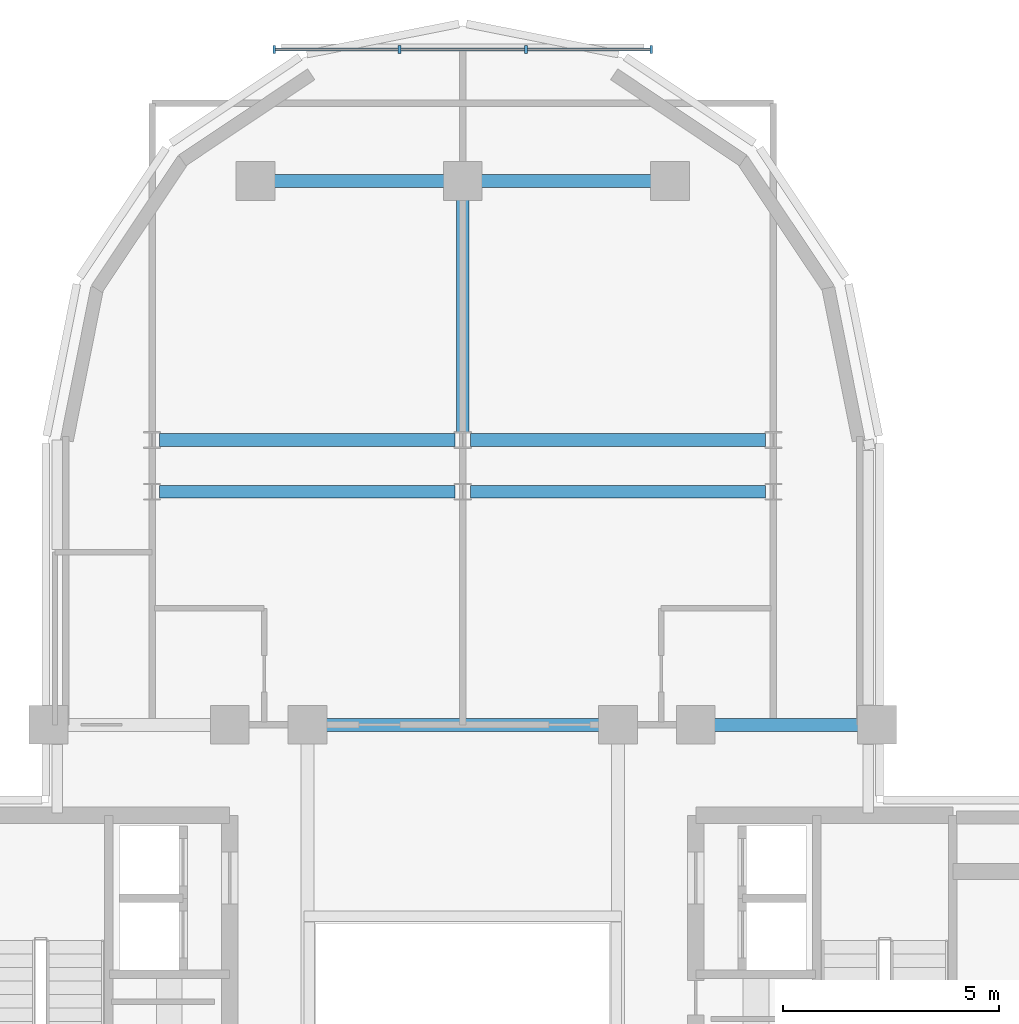
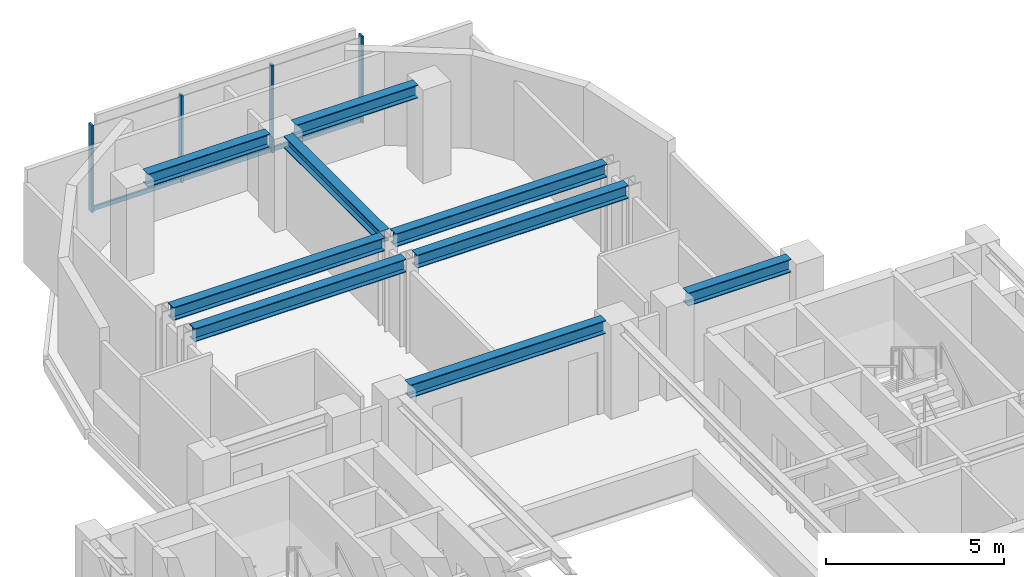
# One storey, part 4 of 12: 9 beams, 7 members, 1 element without a shape of its own.
"""IFC4 building model written with IfcOpenShell, lengths in metres."""

from ifc_helpers import new_model, si_unit, direction, frame, origin, origin_2d, place, context, subcontext, project, spatial, rectangle, i_section, extrude, source, transform, mapped, material, material_profile, profile_set, type_object, element, aggregate, save


model = new_model("IFC4")

# Units and contexts
model_context = context("Model", 3, precision=1e-05, world=origin(), true_north=direction((0.0, 1.0)))
body_context = subcontext(model_context, "Body", "Model", "MODEL_VIEW")
ifc_project = project(units=[si_unit("LENGTHUNIT", "METRE"), si_unit("AREAUNIT", "SQUARE_METRE"), si_unit("VOLUMEUNIT", "CUBIC_METRE"), si_unit("PLANEANGLEUNIT", "RADIAN"), si_unit("MASSUNIT", "GRAM", prefix="KILO")], contexts=[model_context])

# Site, building, storey
site_placement = place(None, origin())
site = spatial("IfcSite", under=ifc_project, at=site_placement, CompositionType="ELEMENT")
building_placement = place(site_placement, origin())
building = spatial("IfcBuilding", under=site, at=building_placement, Name="Keilestroom Media Tower", CompositionType="ELEMENT")
storey_placement = place(building_placement, frame((0.0, 0.0, 191.0)))
storey = spatial("IfcBuildingStorey", under=building, at=storey_placement, Name="L52", CompositionType="ELEMENT", Elevation=191.0)

# Beams
ifc_material_1 = material(Name="Steel S355", Category="steel")
ifc_material_profile_1 = material_profile(ifc_material_1, i_section(OverallWidth=0.300048828125, OverallDepth=0.449951171875, WebThickness=0.011962890625, FlangeThickness=0.02587890625, at=origin_2d()), Name="HEB 450")
ifc_profile_set_1 = profile_set([ifc_material_profile_1], Name="Steel S355")
beam_type_1 = type_object("IfcBeamType", Name="Primary-Structural-Girder-HEB-450", PredefinedType="BEAM", material=ifc_profile_set_1)
shared_shape_1 = source(origin(), body_context, "Body", "SweptSolid", [
    extrude(i_section(OverallWidth=0.300048828125, OverallDepth=0.449951171875, WebThickness=0.011962890625, FlangeThickness=0.02587890625, at=origin_2d()), origin(), (0.0, 0.0, 1.0), 3.940185546875),
])
for number, where, z_axis, x_axis, name in (
    (1, (-4.3701171875, 21.60009765625, 2.97509765625), (1.0, 0.0, 0.0), (0.0, 1.0, 0.0), "L52 Beam BG-7 BM-L52-EW-029"),
    (2, (0.429931640625, 21.60009765625, 2.97509765625), (1.0, 0.0, 0.0), (0.0, 1.0, 0.0), "L52 Beam BG-7 BM-L52-EW-030"),
):
    element("IfcBeam", number, at=place(storey_placement, frame(where, z_axis=z_axis, x_axis=x_axis)), inside=storey, type_object=beam_type_1, Name=name, PredefinedType="BEAM", context=body_context, shape_type="MappedRepresentation", body=[
        mapped(shared_shape_1, transform((0.0, 0.0, 0.0), x_axis=(1.0, 0.0, 0.0), y_axis=(0.0, 1.0, 0.0), z_axis=(0.0, 0.0, 1.0), scale=1.0)),
    ])
shared_shape_2 = source(origin(), body_context, "Body", "SweptSolid", [
    extrude(i_section(OverallWidth=0.300048828125, OverallDepth=0.449951171875, WebThickness=0.011962890625, FlangeThickness=0.02587890625, at=origin_2d()), origin(), (0.0, 0.0, 1.0), 6.842041015625),
])
for number, where, z_axis, x_axis, name in (
    (3, (-7.02099609375, 14.39990234375, 2.97509765625), (1.0, 0.0, 0.0), (0.0, 1.0, 0.0), "L52 Beam BG-7 BM-L52-EW-025"),
    (4, (0.178955078125, 14.39990234375, 2.97509765625), (1.0, 0.0, 0.0), (0.0, 1.0, 0.0), "L52 Beam BG-7 BM-L52-EW-026"),
    (5, (-7.02099609375, 15.60009765625, 2.97509765625), (1.0, 0.0, 0.0), (0.0, 1.0, 0.0), "L52 Beam BG-7 BM-L52-EW-027"),
    (6, (0.178955078125, 15.60009765625, 2.97509765625), (1.0, 0.0, 0.0), (0.0, 1.0, 0.0), "L52 Beam BG-7 BM-L52-EW-028"),
):
    element("IfcBeam", number, at=place(storey_placement, frame(where, z_axis=z_axis, x_axis=x_axis)), inside=storey, type_object=beam_type_1, Name=name, PredefinedType="BEAM", context=body_context, shape_type="MappedRepresentation", body=[
        mapped(shared_shape_2, transform((0.0, 0.0, 0.0), x_axis=(1.0, 0.0, 0.0), y_axis=(0.0, 1.0, 0.0), z_axis=(0.0, 0.0, 1.0), scale=1.0)),
    ])
shared_shape_3 = source(origin(), body_context, "Body", "SweptSolid", [
    extrude(i_section(OverallWidth=0.300048828125, OverallDepth=0.449951171875, WebThickness=0.011962890625, FlangeThickness=0.02587890625, at=origin_2d()), origin(), (0.0, 0.0, 1.0), 3.33984375),
])
beam_1_placement = place(storey_placement, frame((5.830078125, 9.0, 2.97509765625), z_axis=(1.0, 0.0, 0.0), x_axis=(0.0, 1.0, 0.0)))
element("IfcBeam", 7, at=beam_1_placement, inside=storey, type_object=beam_type_1, Name="L52 Beam BG-7 BM-L52-EW-024", PredefinedType="BEAM", context=body_context, shape_type="MappedRepresentation", body=[
    mapped(shared_shape_3, transform((0.0, 0.0, 0.0), x_axis=(1.0, 0.0, 0.0), y_axis=(0.0, 1.0, 0.0), z_axis=(0.0, 0.0, 1.0), scale=1.0)),
])
shared_shape_4 = source(origin(), body_context, "Body", "SweptSolid", [
    extrude(i_section(OverallWidth=0.300048828125, OverallDepth=0.449951171875, WebThickness=0.011962890625, FlangeThickness=0.02587890625, at=origin_2d()), origin(), (0.0, 0.0, 1.0), 6.33984375),
])
beam_2_placement = place(storey_placement, frame((-3.169921875, 9.0, 2.97509765625), z_axis=(1.0, 0.0, 0.0), x_axis=(0.0, 1.0, 0.0)))
element("IfcBeam", 8, at=beam_2_placement, inside=storey, type_object=beam_type_1, Name="L52 Beam BG-7 BM-L52-EW-022", PredefinedType="BEAM", context=body_context, shape_type="MappedRepresentation", body=[
    mapped(shared_shape_4, transform((0.0, 0.0, 0.0), x_axis=(1.0, 0.0, 0.0), y_axis=(0.0, 1.0, 0.0), z_axis=(0.0, 0.0, 1.0), scale=1.0)),
])
ifc_material_profile_2 = material_profile(ifc_material_1, i_section(OverallWidth=0.300048828125, OverallDepth=0.39990234375, WebThickness=0.011474609375, FlangeThickness=0.02392578125, at=origin_2d()), Name="HEB 400")
ifc_profile_set_2 = profile_set([ifc_material_profile_2], Name="Steel S355")
beam_type_2 = type_object("IfcBeamType", Name="Primary-Structural-Girder-HEB-400", PredefinedType="BEAM", material=ifc_profile_set_2)
shared_shape_5 = source(origin(), body_context, "Body", "SweptSolid", [
    extrude(i_section(OverallWidth=0.300048828125, OverallDepth=0.39990234375, WebThickness=0.011474609375, FlangeThickness=0.02392578125, at=origin_2d()), origin(), (0.0, 0.0, 1.0), 5.396484375),
])
beam_3_placement = place(storey_placement, frame((0.0, 15.7734375, 3.0), z_axis=(0.0, 1.0, 0.0), x_axis=(-1.0, 0.0, 0.0)))
element("IfcBeam", 9, at=beam_3_placement, inside=storey, type_object=beam_type_2, Name="L52 Beam BG-8 BM-L52-NS-044", PredefinedType="BEAM", context=body_context, shape_type="MappedRepresentation", body=[
    mapped(shared_shape_5, transform((0.0, 0.0, 0.0), x_axis=(1.0, 0.0, 0.0), y_axis=(0.0, 1.0, 0.0), z_axis=(0.0, 0.0, 1.0), scale=1.0)),
])

# Curtain wall, members
ifc_material_2 = material(Name="Anodised Aluminium Alloy", Category="aluminium")
curtain_wall_type = type_object("IfcCurtainWallType", Name="Unitised-Curtain-Wall-CW-6", PredefinedType="NOTDEFINED", material=ifc_material_2)
curtain_wall_placement = place(storey_placement, origin())
curtain_wall = element("IfcCurtainWall", 10, at=curtain_wall_placement, inside=storey, type_object=curtain_wall_type, Name="L52 Curtain Wall CW-6 CW-L52-LN-1", PredefinedType="NOTDEFINED")
ifc_material_profile_3 = material_profile(ifc_material_2, rectangle(XDim=0.06494140625, YDim=0.179931640625, at=origin_2d()), Name="ALU MULLION 65x180")
ifc_profile_set_3 = profile_set([ifc_material_profile_3], Name="Anodised Aluminium Alloy")
member_type_1 = type_object("IfcMemberType", Name="Curtain-Wall-Mullion-CW-6", PredefinedType="MULLION", material=ifc_profile_set_3)
shared_shape_6 = source(origin(), body_context, "Body", "SweptSolid", [
    extrude(rectangle(XDim=0.06494140625, YDim=0.179931640625, at=origin_2d()), origin(), (0.0, 0.0, 1.0), 2.97998046875),
])
member_1_placement = place(storey_placement, frame((-4.367431640625, 24.64990234375, 0.0), z_axis=(0.0, 0.0, 1.0), x_axis=(1.0, 0.0, 0.0)))
member_1 = element("IfcMember", 11, at=member_1_placement, type_object=member_type_1, Name="CW-6 Mullion 00", PredefinedType="MULLION", context=body_context, shape_type="MappedRepresentation", body=[
    mapped(shared_shape_6, transform((0.0, 0.0, 0.0), x_axis=(1.0, 0.0, 0.0), y_axis=(0.0, 1.0, 0.0), z_axis=(0.0, 0.0, 1.0), scale=1.0)),
])
member_2_placement = place(storey_placement, frame((-1.466796875, 24.64990234375, 0.0), z_axis=(0.0, 0.0, 1.0), x_axis=(1.0, 0.0, 0.0)))
member_2 = element("IfcMember", 12, at=member_2_placement, type_object=member_type_1, Name="CW-6 Mullion 01", PredefinedType="MULLION", context=body_context, shape_type="MappedRepresentation", body=[
    mapped(shared_shape_6, transform((0.0, 0.0, 0.0), x_axis=(1.0, 0.0, 0.0), y_axis=(0.0, 1.0, 0.0), z_axis=(0.0, 0.0, 1.0), scale=1.0)),
])
member_3_placement = place(storey_placement, frame((1.466796875, 24.64990234375, 0.0), z_axis=(0.0, 0.0, 1.0), x_axis=(1.0, 0.0, 0.0)))
member_3 = element("IfcMember", 13, at=member_3_placement, type_object=member_type_1, Name="CW-6 Mullion 02", PredefinedType="MULLION", context=body_context, shape_type="MappedRepresentation", body=[
    mapped(shared_shape_6, transform((0.0, 0.0, 0.0), x_axis=(1.0, 0.0, 0.0), y_axis=(0.0, 1.0, 0.0), z_axis=(0.0, 0.0, 1.0), scale=1.0)),
])
member_4_placement = place(storey_placement, frame((4.367431640625, 24.64990234375, 0.0), z_axis=(0.0, 0.0, 1.0), x_axis=(1.0, 0.0, 0.0)))
member_4 = element("IfcMember", 14, at=member_4_placement, type_object=member_type_1, Name="CW-6 Mullion 03", PredefinedType="MULLION", context=body_context, shape_type="MappedRepresentation", body=[
    mapped(shared_shape_6, transform((0.0, 0.0, 0.0), x_axis=(1.0, 0.0, 0.0), y_axis=(0.0, 1.0, 0.0), z_axis=(0.0, 0.0, 1.0), scale=1.0)),
])
ifc_material_profile_4 = material_profile(ifc_material_2, rectangle(XDim=0.06494140625, YDim=0.14990234375, at=origin_2d()), Name="ALU TRANSOM 65x150")
ifc_profile_set_4 = profile_set([ifc_material_profile_4], Name="Anodised Aluminium Alloy")
member_type_2 = type_object("IfcMemberType", Name="Curtain-Wall-Transom-CW-6", PredefinedType="USERDEFINED", material=ifc_profile_set_4)
shared_shape_7 = source(origin(), body_context, "Body", "SweptSolid", [
    extrude(rectangle(XDim=0.06494140625, YDim=0.14990234375, at=origin_2d()), origin(), (0.0, 0.0, 1.0), 2.839599609375),
])
member_5_placement = place(storey_placement, frame((-4.3369140625, 24.64990234375, 0.074951171875), z_axis=(1.0, 0.0, 0.0), x_axis=(0.0, 1.0, 0.0)))
member_5 = element("IfcMember", 15, at=member_5_placement, type_object=member_type_2, Name="CW-6 Transom 00.1", ObjectType="TRANSOM", PredefinedType="USERDEFINED", context=body_context, shape_type="MappedRepresentation", body=[
    mapped(shared_shape_7, transform((0.0, 0.0, 0.0), x_axis=(1.0, 0.0, 0.0), y_axis=(0.0, 1.0, 0.0), z_axis=(0.0, 0.0, 1.0), scale=1.0)),
])
member_6_placement = place(storey_placement, frame((1.497314453125, 24.64990234375, 0.074951171875), z_axis=(1.0, 0.0, 0.0), x_axis=(0.0, 1.0, 0.0)))
member_6 = element("IfcMember", 16, at=member_6_placement, type_object=member_type_2, Name="CW-6 Transom 02.1", ObjectType="TRANSOM", PredefinedType="USERDEFINED", context=body_context, shape_type="MappedRepresentation", body=[
    mapped(shared_shape_7, transform((0.0, 0.0, 0.0), x_axis=(1.0, 0.0, 0.0), y_axis=(0.0, 1.0, 0.0), z_axis=(0.0, 0.0, 1.0), scale=1.0)),
])
shared_shape_8 = source(origin(), body_context, "Body", "SweptSolid", [
    extrude(rectangle(XDim=0.06494140625, YDim=0.14990234375, at=origin_2d()), origin(), (0.0, 0.0, 1.0), 2.87255859375),
])
member_7_placement = place(storey_placement, frame((-1.436279296875, 24.64990234375, 0.074951171875), z_axis=(1.0, 0.0, 0.0), x_axis=(0.0, 1.0, 0.0)))
member_7 = element("IfcMember", 17, at=member_7_placement, type_object=member_type_2, Name="CW-6 Transom 01.1", ObjectType="TRANSOM", PredefinedType="USERDEFINED", context=body_context, shape_type="MappedRepresentation", body=[
    mapped(shared_shape_8, transform((0.0, 0.0, 0.0), x_axis=(1.0, 0.0, 0.0), y_axis=(0.0, 1.0, 0.0), z_axis=(0.0, 0.0, 1.0), scale=1.0)),
])
aggregate(curtain_wall, [member_1, member_2, member_3, member_4, member_5, member_7, member_6])

save(model, "model.ifc")
